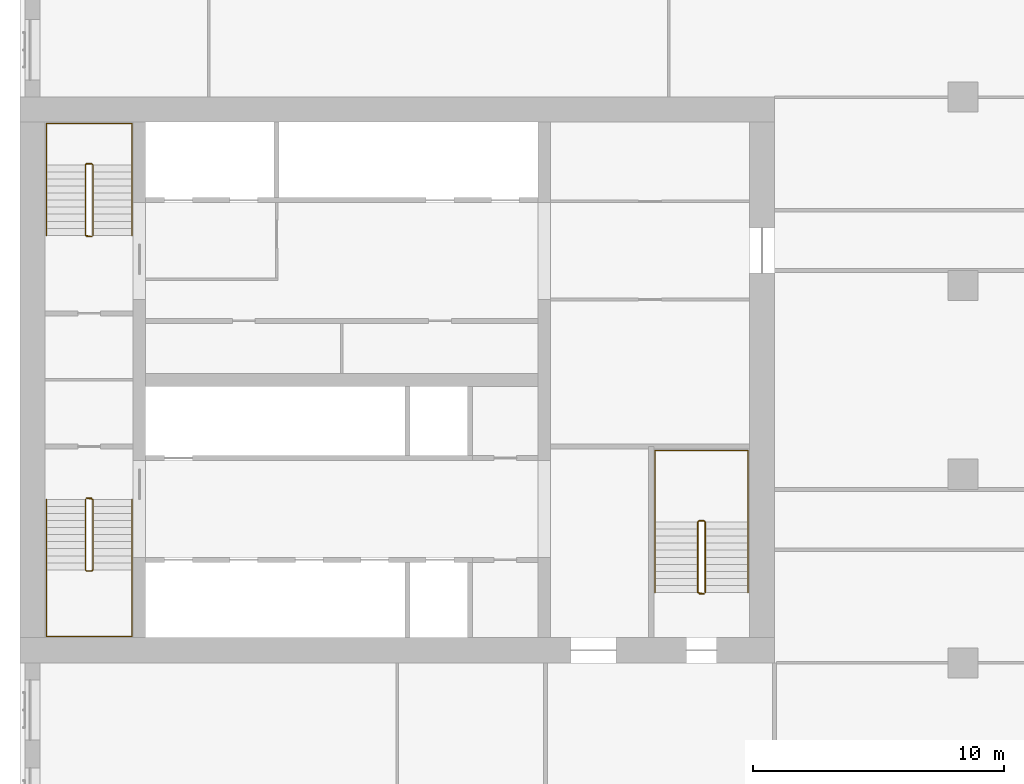
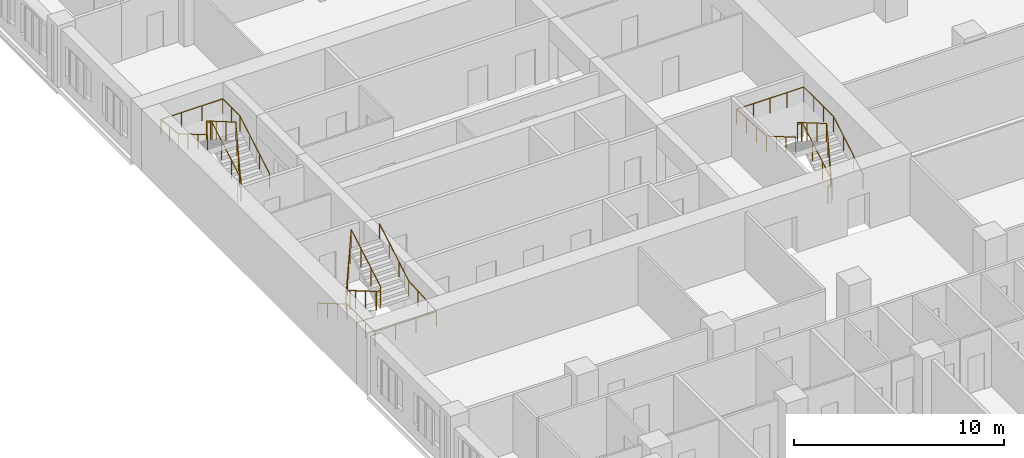
# One storey, part 15 of 15: 6 railings.
"""IFC4 building model written with IfcOpenShell, lengths in metres."""

from ifc_helpers import new_model, si_unit, direction, frame, origin, origin_2d, place, context, subcontext, project, spatial, circle, extrude, material, type_object, element, save


model = new_model("IFC4")

# Units and contexts
model_context = context("Model", 3, precision=1e-05, world=origin(), true_north=direction((0.0, 1.0)))
body_context = subcontext(model_context, "Body", "Model", "MODEL_VIEW")
ifc_project = project(units=[si_unit("LENGTHUNIT", "METRE"), si_unit("AREAUNIT", "SQUARE_METRE"), si_unit("VOLUMEUNIT", "CUBIC_METRE"), si_unit("PLANEANGLEUNIT", "RADIAN"), si_unit("MASSUNIT", "GRAM", prefix="KILO")], contexts=[model_context])

# Site, building, storey
site_placement = place(None, origin())
site = spatial("IfcSite", under=ifc_project, at=site_placement, CompositionType="ELEMENT")
building_placement = place(site_placement, origin())
building = spatial("IfcBuilding", under=site, at=building_placement, Name="Tamorin Gate", CompositionType="ELEMENT")
storey_placement = place(building_placement, frame((0.0, 0.0, 48.39990234375)))
storey = spatial("IfcBuildingStorey", under=building, at=storey_placement, Name="L10", CompositionType="ELEMENT", Elevation=48.39990234375)

# Railings
ifc_material_1 = material(Name="Painted steel balustrade", Category="steel")
railing_type_1 = type_object("IfcRailingType", Name="Stair guard 1100", PredefinedType="GUARDRAIL", material=ifc_material_1)
railing_1_placement = place(storey_placement, frame((32.60009765625, 66.5, 0.163818359375)))
element("IfcRailing", 1, at=railing_1_placement, inside=storey, type_object=railing_type_1, Name="L10 ST1 stair guard 1", PredefinedType="GUARDRAIL", context=body_context, shape_type="SweptSolid", body=[
    extrude(circle(Radius=0.02392578125, at=origin_2d()), frame((0.0, 0.0, 1.076171875), z_axis=(0.0, -0.863393664356, 0.504530851732), x_axis=(1.0, 0.0, 0.0)), (0.0, 0.0, 1.0), 3.2431640625),
    extrude(circle(Radius=0.02392578125, at=origin_2d()), frame((0.0, -2.800048828125, 2.71240234375), z_axis=(0.705375805398, -0.708833529934, 0.0), x_axis=(0.708833529934, 0.705375805398, 0.0)), (0.0, 0.0, 1.0), 0.070556640625),
    extrude(circle(Radius=0.02392578125, at=origin_2d()), frame((0.0498046875, -2.85009765625, 2.71240234375), z_axis=(1.0, 0.0, 0.0), x_axis=(0.0, 1.0, 0.0)), (0.0, 0.0, 1.0), 0.2001953125),
    extrude(circle(Radius=0.02392578125, at=origin_2d()), frame((0.25, -2.85009765625, 2.71240234375), z_axis=(0.279546231943, 0.280916556609, 0.91811752648), x_axis=(-0.708833529934, 0.705375805398, 0.0)), (0.0, 0.0, 1.0), 0.17822265625),
    extrude(circle(Radius=0.02392578125, at=origin_2d()), frame((0.2998046875, -2.800048828125, 2.8759765625), z_axis=(0.0, 0.863360870873, 0.504586966384), x_axis=(-1.0, 0.0, 0.0)), (0.0, 0.0, 1.0), 3.2431640625),
    extrude(circle(Radius=0.02392578125, at=origin_2d()), frame((0.2998046875, 0.0, 4.51220703125), z_axis=(-0.069269067181, 0.013867342551, -0.997501625634), x_axis=(-0.196300278283, -0.98054382908, 0.0)), (0.0, 0.0, 1.0), 3.609130859375),
    extrude(circle(Radius=0.02392578125, at=origin_2d()), frame((0.0498046875, 0.050048828125, 0.912109375), z_axis=(1.0, 0.0, 0.0), x_axis=(0.0, 1.0, 0.0)), (0.0, 0.0, 1.0), 0.2001953125),
    extrude(circle(Radius=0.02099609375, at=origin_2d()), origin(), (0.0, 0.0, 1.0), 1.052001953125),
    extrude(circle(Radius=0.02099609375, at=origin_2d()), frame((0.0, -0.933349609375, 0.54541015625)), (0.0, 0.0, 1.0), 1.052001953125),
    extrude(circle(Radius=0.02099609375, at=origin_2d()), frame((0.0, -1.86669921875, 1.0908203125)), (0.0, 0.0, 1.0), 1.052001953125),
    extrude(circle(Radius=0.02099609375, at=origin_2d()), frame((0.0, -2.800048828125, 1.63623046875)), (0.0, 0.0, 1.0), 1.052001953125),
    extrude(circle(Radius=0.02099609375, at=origin_2d()), frame((0.0498046875, -2.85009765625, 1.63623046875)), (0.0, 0.0, 1.0), 1.052001953125),
    extrude(circle(Radius=0.02099609375, at=origin_2d()), frame((0.25, -2.85009765625, 1.63623046875)), (0.0, 0.0, 1.0), 1.052001953125),
    extrude(circle(Radius=0.02099609375, at=origin_2d()), frame((0.2998046875, -2.800048828125, 1.7998046875)), (0.0, 0.0, 1.0), 1.052001953125),
    extrude(circle(Radius=0.02099609375, at=origin_2d()), frame((0.2998046875, -1.86669921875, 2.34521484375)), (0.0, 0.0, 1.0), 1.052001953125),
    extrude(circle(Radius=0.02099609375, at=origin_2d()), frame((0.2998046875, -0.933349609375, 2.890869140625)), (0.0, 0.0, 1.0), 1.052001953125),
    extrude(circle(Radius=0.02099609375, at=origin_2d()), frame((0.2998046875, 0.0, 3.436279296875)), (0.0, 0.0, 1.0), 1.052001953125),
    extrude(circle(Radius=0.02099609375, at=origin_2d()), frame((0.2373046875, 0.012451171875, 2.5361328125)), (0.0, 0.0, 1.0), 1.052001953125),
    extrude(circle(Radius=0.02099609375, at=origin_2d()), frame((0.1748046875, 0.02490234375, 1.63623046875)), (0.0, 0.0, 1.0), 1.052001953125),
    extrude(circle(Radius=0.02099609375, at=origin_2d()), frame((0.1123046875, 0.03759765625, 0.736328125)), (0.0, 0.0, 1.0), 1.052001953125),
    extrude(circle(Radius=0.02099609375, at=origin_2d()), frame((0.0498046875, 0.050048828125, -0.163818359375)), (0.0, 0.0, 1.0), 1.052001953125),
    extrude(circle(Radius=0.02099609375, at=origin_2d()), frame((0.25, 0.050048828125, -0.163818359375)), (0.0, 0.0, 1.0), 1.052001953125),
])
railing_2_placement = place(storey_placement, frame((32.89990234375, 77.0, 0.163818359375)))
element("IfcRailing", 2, at=railing_2_placement, inside=storey, type_object=railing_type_1, Name="L10 ST2 stair guard 1", PredefinedType="GUARDRAIL", context=body_context, shape_type="SweptSolid", body=[
    extrude(circle(Radius=0.02392578125, at=origin_2d()), frame((0.0, 0.0, 1.076171875), z_axis=(0.0, 0.863393664356, 0.504530851732), x_axis=(-1.0, 0.0, 0.0)), (0.0, 0.0, 1.0), 3.2431640625),
    extrude(circle(Radius=0.02392578125, at=origin_2d()), frame((0.0, 2.800048828125, 2.71240234375), z_axis=(-0.705375805398, 0.708833529934, 0.0), x_axis=(-0.708833529934, -0.705375805398, 0.0)), (0.0, 0.0, 1.0), 0.070556640625),
    extrude(circle(Radius=0.02392578125, at=origin_2d()), frame((-0.0498046875, 2.85009765625, 2.71240234375), z_axis=(-1.0, 0.0, 0.0), x_axis=(0.0, -1.0, 0.0)), (0.0, 0.0, 1.0), 0.2001953125),
    extrude(circle(Radius=0.02392578125, at=origin_2d()), frame((-0.25, 2.85009765625, 2.71240234375), z_axis=(-0.279546231943, -0.280916556609, 0.91811752648), x_axis=(0.708833529934, -0.705375805398, 0.0)), (0.0, 0.0, 1.0), 0.17822265625),
    extrude(circle(Radius=0.02392578125, at=origin_2d()), frame((-0.2998046875, 2.800048828125, 2.8759765625), z_axis=(0.0, -0.863360870873, 0.504586966384), x_axis=(1.0, 0.0, 0.0)), (0.0, 0.0, 1.0), 3.2431640625),
    extrude(circle(Radius=0.02392578125, at=origin_2d()), frame((-0.2998046875, 0.0, 4.51220703125), z_axis=(0.069269067181, -0.013867342551, -0.997501625634), x_axis=(0.196300278283, 0.98054382908, 0.0)), (0.0, 0.0, 1.0), 3.609130859375),
    extrude(circle(Radius=0.02392578125, at=origin_2d()), frame((-0.0498046875, -0.050048828125, 0.912109375), z_axis=(-1.0, 0.0, 0.0), x_axis=(0.0, -1.0, 0.0)), (0.0, 0.0, 1.0), 0.2001953125),
    extrude(circle(Radius=0.02099609375, at=origin_2d()), origin(), (0.0, 0.0, 1.0), 1.052001953125),
    extrude(circle(Radius=0.02099609375, at=origin_2d()), frame((0.0, 0.933349609375, 0.54541015625)), (0.0, 0.0, 1.0), 1.052001953125),
    extrude(circle(Radius=0.02099609375, at=origin_2d()), frame((0.0, 1.86669921875, 1.0908203125)), (0.0, 0.0, 1.0), 1.052001953125),
    extrude(circle(Radius=0.02099609375, at=origin_2d()), frame((0.0, 2.800048828125, 1.63623046875)), (0.0, 0.0, 1.0), 1.052001953125),
    extrude(circle(Radius=0.02099609375, at=origin_2d()), frame((-0.0498046875, 2.85009765625, 1.63623046875)), (0.0, 0.0, 1.0), 1.052001953125),
    extrude(circle(Radius=0.02099609375, at=origin_2d()), frame((-0.25, 2.85009765625, 1.63623046875)), (0.0, 0.0, 1.0), 1.052001953125),
    extrude(circle(Radius=0.02099609375, at=origin_2d()), frame((-0.2998046875, 2.800048828125, 1.7998046875)), (0.0, 0.0, 1.0), 1.052001953125),
    extrude(circle(Radius=0.02099609375, at=origin_2d()), frame((-0.2998046875, 1.86669921875, 2.34521484375)), (0.0, 0.0, 1.0), 1.052001953125),
    extrude(circle(Radius=0.02099609375, at=origin_2d()), frame((-0.2998046875, 0.933349609375, 2.890869140625)), (0.0, 0.0, 1.0), 1.052001953125),
    extrude(circle(Radius=0.02099609375, at=origin_2d()), frame((-0.2998046875, 0.0, 3.436279296875)), (0.0, 0.0, 1.0), 1.052001953125),
    extrude(circle(Radius=0.02099609375, at=origin_2d()), frame((-0.2373046875, -0.012451171875, 2.5361328125)), (0.0, 0.0, 1.0), 1.052001953125),
    extrude(circle(Radius=0.02099609375, at=origin_2d()), frame((-0.1748046875, -0.02490234375, 1.63623046875)), (0.0, 0.0, 1.0), 1.052001953125),
    extrude(circle(Radius=0.02099609375, at=origin_2d()), frame((-0.1123046875, -0.03759765625, 0.736328125)), (0.0, 0.0, 1.0), 1.052001953125),
    extrude(circle(Radius=0.02099609375, at=origin_2d()), frame((-0.0498046875, -0.050048828125, -0.163818359375)), (0.0, 0.0, 1.0), 1.052001953125),
    extrude(circle(Radius=0.02099609375, at=origin_2d()), frame((-0.25, -0.050048828125, -0.163818359375)), (0.0, 0.0, 1.0), 1.052001953125),
])
railing_3_placement = place(storey_placement, frame((57.25, 62.800048828125, 0.163818359375)))
element("IfcRailing", 3, at=railing_3_placement, inside=storey, type_object=railing_type_1, Name="L10 ST3 stair guard 1", PredefinedType="GUARDRAIL", context=body_context, shape_type="SweptSolid", body=[
    extrude(circle(Radius=0.02392578125, at=origin_2d()), frame((0.0, 0.0, 1.076171875), z_axis=(0.0, 0.863393664356, 0.504530851732), x_axis=(-1.0, 0.0, 0.0)), (0.0, 0.0, 1.0), 3.2431640625),
    extrude(circle(Radius=0.02392578125, at=origin_2d()), frame((0.0, 2.800048828125, 2.71240234375), z_axis=(-0.708833529934, 0.705375805398, 0.0), x_axis=(-0.705375805398, -0.708833529934, 0.0)), (0.0, 0.0, 1.0), 0.070556640625),
    extrude(circle(Radius=0.02392578125, at=origin_2d()), frame((-0.050048828125, 2.849853515625, 2.71240234375), z_axis=(-1.0, 0.0, 0.0), x_axis=(0.0, -1.0, 0.0)), (0.0, 0.0, 1.0), 0.199951171875),
    extrude(circle(Radius=0.02392578125, at=origin_2d()), frame((-0.25, 2.849853515625, 2.71240234375), z_axis=(-0.280916556609, -0.279546231943, 0.91811752648), x_axis=(0.705375805398, -0.708833529934, 0.0)), (0.0, 0.0, 1.0), 0.17822265625),
    extrude(circle(Radius=0.02392578125, at=origin_2d()), frame((-0.300048828125, 2.800048828125, 2.8759765625), z_axis=(0.0, -0.863360870873, 0.504586966384), x_axis=(1.0, 0.0, 0.0)), (0.0, 0.0, 1.0), 3.2431640625),
    extrude(circle(Radius=0.02392578125, at=origin_2d()), frame((-0.300048828125, 0.0, 4.51220703125), z_axis=(0.069269067181, -0.013867342551, -0.997501625634), x_axis=(0.196300278283, 0.98054382908, 0.0)), (0.0, 0.0, 1.0), 3.609130859375),
    extrude(circle(Radius=0.02392578125, at=origin_2d()), frame((-0.050048828125, -0.050048828125, 0.912109375), z_axis=(-1.0, 0.0, 0.0), x_axis=(0.0, -1.0, 0.0)), (0.0, 0.0, 1.0), 0.199951171875),
    extrude(circle(Radius=0.02099609375, at=origin_2d()), origin(), (0.0, 0.0, 1.0), 1.052001953125),
    extrude(circle(Radius=0.02099609375, at=origin_2d()), frame((0.0, 0.933349609375, 0.54541015625)), (0.0, 0.0, 1.0), 1.052001953125),
    extrude(circle(Radius=0.02099609375, at=origin_2d()), frame((0.0, 1.86669921875, 1.0908203125)), (0.0, 0.0, 1.0), 1.052001953125),
    extrude(circle(Radius=0.02099609375, at=origin_2d()), frame((0.0, 2.800048828125, 1.63623046875)), (0.0, 0.0, 1.0), 1.052001953125),
    extrude(circle(Radius=0.02099609375, at=origin_2d()), frame((-0.050048828125, 2.849853515625, 1.63623046875)), (0.0, 0.0, 1.0), 1.052001953125),
    extrude(circle(Radius=0.02099609375, at=origin_2d()), frame((-0.25, 2.849853515625, 1.63623046875)), (0.0, 0.0, 1.0), 1.052001953125),
    extrude(circle(Radius=0.02099609375, at=origin_2d()), frame((-0.300048828125, 2.800048828125, 1.7998046875)), (0.0, 0.0, 1.0), 1.052001953125),
    extrude(circle(Radius=0.02099609375, at=origin_2d()), frame((-0.300048828125, 1.86669921875, 2.34521484375)), (0.0, 0.0, 1.0), 1.052001953125),
    extrude(circle(Radius=0.02099609375, at=origin_2d()), frame((-0.300048828125, 0.933349609375, 2.890869140625)), (0.0, 0.0, 1.0), 1.052001953125),
    extrude(circle(Radius=0.02099609375, at=origin_2d()), frame((-0.300048828125, 0.0, 3.436279296875)), (0.0, 0.0, 1.0), 1.052001953125),
    extrude(circle(Radius=0.02099609375, at=origin_2d()), frame((-0.237548828125, -0.012451171875, 2.5361328125)), (0.0, 0.0, 1.0), 1.052001953125),
    extrude(circle(Radius=0.02099609375, at=origin_2d()), frame((-0.175048828125, -0.02490234375, 1.63623046875)), (0.0, 0.0, 1.0), 1.052001953125),
    extrude(circle(Radius=0.02099609375, at=origin_2d()), frame((-0.112548828125, -0.03759765625, 0.736328125)), (0.0, 0.0, 1.0), 1.052001953125),
    extrude(circle(Radius=0.02099609375, at=origin_2d()), frame((-0.050048828125, -0.050048828125, -0.163818359375)), (0.0, 0.0, 1.0), 1.052001953125),
    extrude(circle(Radius=0.02099609375, at=origin_2d()), frame((-0.25, -0.050048828125, -0.163818359375)), (0.0, 0.0, 1.0), 1.052001953125),
])
ifc_material_2 = material(Name="Painted steel handrail", Category="steel")
railing_type_2 = type_object("IfcRailingType", Name="Stair handrail 900", PredefinedType="HANDRAIL", material=ifc_material_2)
railing_4_placement = place(storey_placement, frame((31.050048828125, 66.5, 0.163818359375)))
element("IfcRailing", 4, at=railing_4_placement, inside=storey, type_object=railing_type_2, Name="L10 ST1 stair handrail 1", PredefinedType="HANDRAIL", context=body_context, shape_type="SweptSolid", body=[
    extrude(circle(Radius=0.02392578125, at=origin_2d()), frame((0.0, 0.0, 0.8759765625), z_axis=(0.0, -0.863393664356, 0.504530851732), x_axis=(1.0, 0.0, 0.0)), (0.0, 0.0, 1.0), 3.2431640625),
    extrude(circle(Radius=0.02392578125, at=origin_2d()), frame((0.0, -2.800048828125, 2.51220703125), z_axis=(0.0, -1.0, 0.0), x_axis=(1.0, 0.0, 0.0)), (0.0, 0.0, 1.0), 2.64990234375),
    extrude(circle(Radius=0.02392578125, at=origin_2d()), frame((0.0, -5.449951171875, 2.51220703125), z_axis=(1.0, 0.0, 0.0), x_axis=(0.0, 1.0, 0.0)), (0.0, 0.0, 1.0), 3.39990234375),
    extrude(circle(Radius=0.02392578125, at=origin_2d()), frame((3.39990234375, -5.449951171875, 2.51220703125), z_axis=(0.0, 0.998100230056, 0.061611125312), x_axis=(-1.0, 0.0, 0.0)), (0.0, 0.0, 1.0), 2.655029296875),
    extrude(circle(Radius=0.02392578125, at=origin_2d()), frame((3.39990234375, -2.800048828125, 2.67578125), z_axis=(0.0, 0.863360870873, 0.504586966384), x_axis=(-1.0, 0.0, 0.0)), (0.0, 0.0, 1.0), 3.2431640625),
    extrude(circle(Radius=0.02099609375, at=origin_2d()), origin(), (0.0, 0.0, 1.0), 0.851806640625),
    extrude(circle(Radius=0.02099609375, at=origin_2d()), frame((0.0, -0.933349609375, 0.54541015625)), (0.0, 0.0, 1.0), 0.851806640625),
    extrude(circle(Radius=0.02099609375, at=origin_2d()), frame((0.0, -1.86669921875, 1.0908203125)), (0.0, 0.0, 1.0), 0.851806640625),
    extrude(circle(Radius=0.02099609375, at=origin_2d()), frame((0.0, -2.800048828125, 1.63623046875)), (0.0, 0.0, 1.0), 0.851806640625),
    extrude(circle(Radius=0.02099609375, at=origin_2d()), frame((0.0, -3.683349609375, 1.63623046875)), (0.0, 0.0, 1.0), 0.851806640625),
    extrude(circle(Radius=0.02099609375, at=origin_2d()), frame((0.0, -4.566650390625, 1.63623046875)), (0.0, 0.0, 1.0), 0.851806640625),
    extrude(circle(Radius=0.02099609375, at=origin_2d()), frame((0.0, -5.449951171875, 1.63623046875)), (0.0, 0.0, 1.0), 0.851806640625),
    extrude(circle(Radius=0.02099609375, at=origin_2d()), frame((1.13330078125, -5.449951171875, 1.63623046875)), (0.0, 0.0, 1.0), 0.851806640625),
    extrude(circle(Radius=0.02099609375, at=origin_2d()), frame((2.2666015625, -5.449951171875, 1.63623046875)), (0.0, 0.0, 1.0), 0.851806640625),
    extrude(circle(Radius=0.02099609375, at=origin_2d()), frame((3.39990234375, -5.449951171875, 1.63623046875)), (0.0, 0.0, 1.0), 0.851806640625),
    extrude(circle(Radius=0.02099609375, at=origin_2d()), frame((3.39990234375, -4.566650390625, 1.690673828125)), (0.0, 0.0, 1.0), 0.851806640625),
    extrude(circle(Radius=0.02099609375, at=origin_2d()), frame((3.39990234375, -3.683349609375, 1.745361328125)), (0.0, 0.0, 1.0), 0.851806640625),
    extrude(circle(Radius=0.02099609375, at=origin_2d()), frame((3.39990234375, -2.800048828125, 1.7998046875)), (0.0, 0.0, 1.0), 0.851806640625),
    extrude(circle(Radius=0.02099609375, at=origin_2d()), frame((3.39990234375, -1.86669921875, 2.34521484375)), (0.0, 0.0, 1.0), 0.851806640625),
    extrude(circle(Radius=0.02099609375, at=origin_2d()), frame((3.39990234375, -0.933349609375, 2.890869140625)), (0.0, 0.0, 1.0), 0.851806640625),
    extrude(circle(Radius=0.02099609375, at=origin_2d()), frame((3.39990234375, 0.0, 3.436279296875)), (0.0, 0.0, 1.0), 0.851806640625),
])
railing_5_placement = place(storey_placement, frame((34.449951171875, 77.0, 0.163818359375)))
element("IfcRailing", 5, at=railing_5_placement, inside=storey, type_object=railing_type_2, Name="L10 ST2 stair handrail 1", PredefinedType="HANDRAIL", context=body_context, shape_type="SweptSolid", body=[
    extrude(circle(Radius=0.02392578125, at=origin_2d()), frame((0.0, 0.0, 0.8759765625), z_axis=(0.0, 0.863393664356, 0.504530851732), x_axis=(-1.0, 0.0, 0.0)), (0.0, 0.0, 1.0), 3.2431640625),
    extrude(circle(Radius=0.02392578125, at=origin_2d()), frame((0.0, 2.800048828125, 2.51220703125), z_axis=(0.0, 1.0, 0.0), x_axis=(-1.0, 0.0, 0.0)), (0.0, 0.0, 1.0), 1.64990234375),
    extrude(circle(Radius=0.02392578125, at=origin_2d()), frame((0.0, 4.449951171875, 2.51220703125), z_axis=(-1.0, 0.0, 0.0), x_axis=(0.0, -1.0, 0.0)), (0.0, 0.0, 1.0), 3.39990234375),
    extrude(circle(Radius=0.02392578125, at=origin_2d()), frame((-3.39990234375, 4.449951171875, 2.51220703125), z_axis=(0.0, -0.995121390814, 0.098658084026), x_axis=(1.0, 0.0, 0.0)), (0.0, 0.0, 1.0), 1.657958984375),
    extrude(circle(Radius=0.02392578125, at=origin_2d()), frame((-3.39990234375, 2.800048828125, 2.67578125), z_axis=(0.0, -0.863360870873, 0.504586966384), x_axis=(1.0, 0.0, 0.0)), (0.0, 0.0, 1.0), 3.2431640625),
    extrude(circle(Radius=0.02099609375, at=origin_2d()), origin(), (0.0, 0.0, 1.0), 0.851806640625),
    extrude(circle(Radius=0.02099609375, at=origin_2d()), frame((0.0, 0.933349609375, 0.54541015625)), (0.0, 0.0, 1.0), 0.851806640625),
    extrude(circle(Radius=0.02099609375, at=origin_2d()), frame((0.0, 1.86669921875, 1.0908203125)), (0.0, 0.0, 1.0), 0.851806640625),
    extrude(circle(Radius=0.02099609375, at=origin_2d()), frame((0.0, 2.800048828125, 1.63623046875)), (0.0, 0.0, 1.0), 0.851806640625),
    extrude(circle(Radius=0.02099609375, at=origin_2d()), frame((0.0, 3.625, 1.63623046875)), (0.0, 0.0, 1.0), 0.851806640625),
    extrude(circle(Radius=0.02099609375, at=origin_2d()), frame((0.0, 4.449951171875, 1.63623046875)), (0.0, 0.0, 1.0), 0.851806640625),
    extrude(circle(Radius=0.02099609375, at=origin_2d()), frame((-1.13330078125, 4.449951171875, 1.63623046875)), (0.0, 0.0, 1.0), 0.851806640625),
    extrude(circle(Radius=0.02099609375, at=origin_2d()), frame((-2.2666015625, 4.449951171875, 1.63623046875)), (0.0, 0.0, 1.0), 0.851806640625),
    extrude(circle(Radius=0.02099609375, at=origin_2d()), frame((-3.39990234375, 4.449951171875, 1.63623046875)), (0.0, 0.0, 1.0), 0.851806640625),
    extrude(circle(Radius=0.02099609375, at=origin_2d()), frame((-3.39990234375, 3.625, 1.718017578125)), (0.0, 0.0, 1.0), 0.851806640625),
    extrude(circle(Radius=0.02099609375, at=origin_2d()), frame((-3.39990234375, 2.800048828125, 1.7998046875)), (0.0, 0.0, 1.0), 0.851806640625),
    extrude(circle(Radius=0.02099609375, at=origin_2d()), frame((-3.39990234375, 1.86669921875, 2.34521484375)), (0.0, 0.0, 1.0), 0.851806640625),
    extrude(circle(Radius=0.02099609375, at=origin_2d()), frame((-3.39990234375, 0.933349609375, 2.890869140625)), (0.0, 0.0, 1.0), 0.851806640625),
    extrude(circle(Radius=0.02099609375, at=origin_2d()), frame((-3.39990234375, 0.0, 3.436279296875)), (0.0, 0.0, 1.0), 0.851806640625),
])
railing_6_placement = place(storey_placement, frame((58.949951171875, 62.800048828125, 0.163818359375)))
element("IfcRailing", 6, at=railing_6_placement, inside=storey, type_object=railing_type_2, Name="L10 ST3 stair handrail 1", PredefinedType="HANDRAIL", context=body_context, shape_type="SweptSolid", body=[
    extrude(circle(Radius=0.02392578125, at=origin_2d()), frame((0.0, 0.0, 0.8759765625), z_axis=(0.0, 0.863393664356, 0.504530851732), x_axis=(-1.0, 0.0, 0.0)), (0.0, 0.0, 1.0), 3.2431640625),
    extrude(circle(Radius=0.02392578125, at=origin_2d()), frame((0.0, 2.800048828125, 2.51220703125), z_axis=(0.0, 1.0, 0.0), x_axis=(-1.0, 0.0, 0.0)), (0.0, 0.0, 1.0), 2.849853515625),
    extrude(circle(Radius=0.02392578125, at=origin_2d()), frame((0.0, 5.64990234375, 2.51220703125), z_axis=(-1.0, 0.0, 0.0), x_axis=(0.0, -1.0, 0.0)), (0.0, 0.0, 1.0), 3.699951171875),
    extrude(circle(Radius=0.02392578125, at=origin_2d()), frame((-3.699951171875, 5.64990234375, 2.51220703125), z_axis=(0.0, -0.998356827416, 0.057303098978), x_axis=(1.0, 0.0, 0.0)), (0.0, 0.0, 1.0), 2.8544921875),
    extrude(circle(Radius=0.02392578125, at=origin_2d()), frame((-3.699951171875, 2.800048828125, 2.67578125), z_axis=(0.0, -0.863360870873, 0.504586966384), x_axis=(1.0, 0.0, 0.0)), (0.0, 0.0, 1.0), 3.2431640625),
    extrude(circle(Radius=0.02099609375, at=origin_2d()), origin(), (0.0, 0.0, 1.0), 0.851806640625),
    extrude(circle(Radius=0.02099609375, at=origin_2d()), frame((0.0, 0.933349609375, 0.54541015625)), (0.0, 0.0, 1.0), 0.851806640625),
    extrude(circle(Radius=0.02099609375, at=origin_2d()), frame((0.0, 1.86669921875, 1.0908203125)), (0.0, 0.0, 1.0), 0.851806640625),
    extrude(circle(Radius=0.02099609375, at=origin_2d()), frame((0.0, 2.800048828125, 1.63623046875)), (0.0, 0.0, 1.0), 0.851806640625),
    extrude(circle(Radius=0.02099609375, at=origin_2d()), frame((0.0, 3.75, 1.63623046875)), (0.0, 0.0, 1.0), 0.851806640625),
    extrude(circle(Radius=0.02099609375, at=origin_2d()), frame((0.0, 4.699951171875, 1.63623046875)), (0.0, 0.0, 1.0), 0.851806640625),
    extrude(circle(Radius=0.02099609375, at=origin_2d()), frame((0.0, 5.64990234375, 1.63623046875)), (0.0, 0.0, 1.0), 0.851806640625),
    extrude(circle(Radius=0.02099609375, at=origin_2d()), frame((-0.925048828125, 5.64990234375, 1.63623046875)), (0.0, 0.0, 1.0), 0.851806640625),
    extrude(circle(Radius=0.02099609375, at=origin_2d()), frame((-1.85009765625, 5.64990234375, 1.63623046875)), (0.0, 0.0, 1.0), 0.851806640625),
    extrude(circle(Radius=0.02099609375, at=origin_2d()), frame((-2.77490234375, 5.64990234375, 1.63623046875)), (0.0, 0.0, 1.0), 0.851806640625),
    extrude(circle(Radius=0.02099609375, at=origin_2d()), frame((-3.699951171875, 5.64990234375, 1.63623046875)), (0.0, 0.0, 1.0), 0.851806640625),
    extrude(circle(Radius=0.02099609375, at=origin_2d()), frame((-3.699951171875, 4.699951171875, 1.690673828125)), (0.0, 0.0, 1.0), 0.851806640625),
    extrude(circle(Radius=0.02099609375, at=origin_2d()), frame((-3.699951171875, 3.75, 1.745361328125)), (0.0, 0.0, 1.0), 0.851806640625),
    extrude(circle(Radius=0.02099609375, at=origin_2d()), frame((-3.699951171875, 2.800048828125, 1.7998046875)), (0.0, 0.0, 1.0), 0.851806640625),
    extrude(circle(Radius=0.02099609375, at=origin_2d()), frame((-3.699951171875, 1.86669921875, 2.34521484375)), (0.0, 0.0, 1.0), 0.851806640625),
    extrude(circle(Radius=0.02099609375, at=origin_2d()), frame((-3.699951171875, 0.933349609375, 2.890869140625)), (0.0, 0.0, 1.0), 0.851806640625),
    extrude(circle(Radius=0.02099609375, at=origin_2d()), frame((-3.699951171875, 0.0, 3.436279296875)), (0.0, 0.0, 1.0), 0.851806640625),
])

save(model, "model.ifc")
